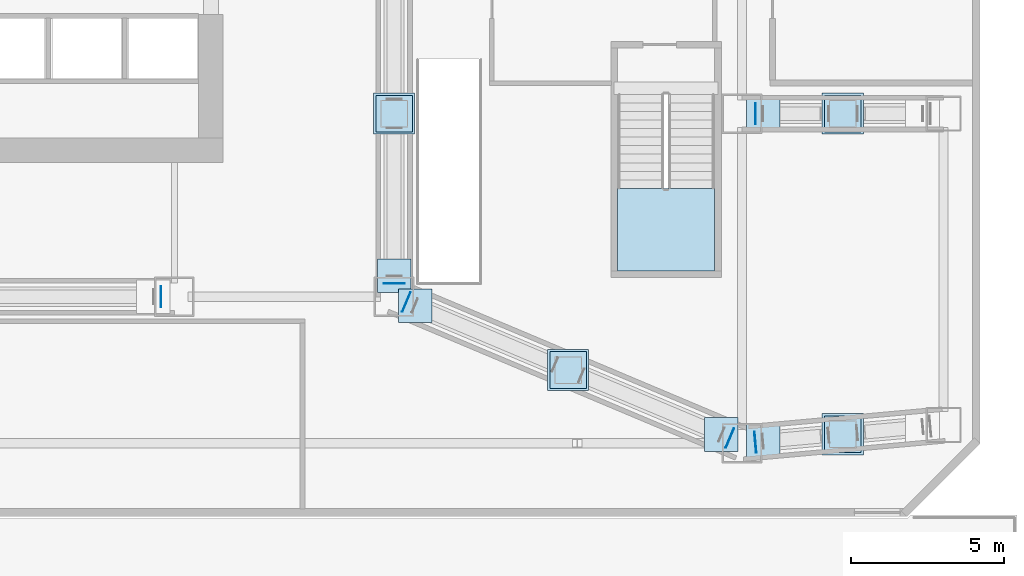
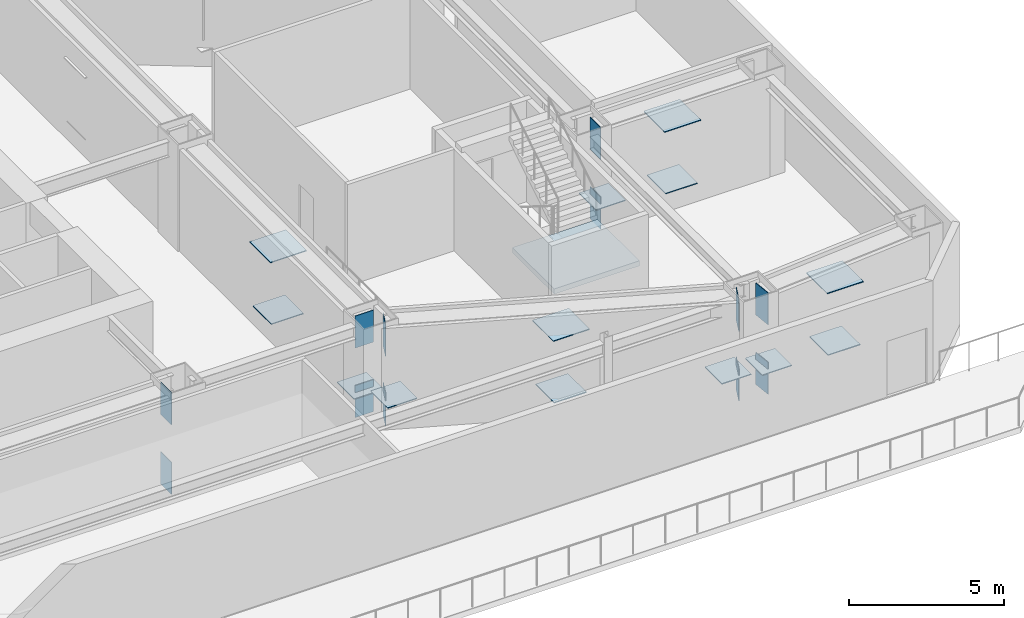
# One storey, part 22 of 39: 25 plates, 1 slab, 1 element without a shape of its own.
"""IFC4 building model written with IfcOpenShell, lengths in metres."""

from ifc_helpers import new_model, si_unit, direction, frame, origin, origin_2d, place, context, subcontext, project, spatial, polyline, rectangle, outline, extrude, material, layer, layer_set, type_object, element, aggregate, save


model = new_model("IFC4")

# Units and contexts
model_context = context("Model", 3, precision=1e-05, world=origin(), true_north=direction((0.0, 1.0)))
body_context = subcontext(model_context, "Body", "Model", "MODEL_VIEW")
ifc_project = project(units=[si_unit("LENGTHUNIT", "METRE"), si_unit("AREAUNIT", "SQUARE_METRE"), si_unit("VOLUMEUNIT", "CUBIC_METRE"), si_unit("PLANEANGLEUNIT", "RADIAN"), si_unit("MASSUNIT", "GRAM", prefix="KILO")], contexts=[model_context])

# Site, building, storey
site_placement = place(None, origin())
site = spatial("IfcSite", under=ifc_project, at=site_placement, CompositionType="ELEMENT")
building_placement = place(site_placement, origin())
building = spatial("IfcBuilding", under=site, at=building_placement, Name="Haolan Belvedere Tower", CompositionType="ELEMENT")
storey_placement = place(building_placement, frame((0.0, 0.0, 19.800048828125)))
storey = spatial("IfcBuildingStorey", under=building, at=storey_placement, Name="L04", CompositionType="ELEMENT", Elevation=19.800048828125)

# Plates
ifc_material_1 = material(Name="Steel Q355B", Category="steel")
ifc_layer_1 = layer(ifc_material_1, 0.02490234375, Name="Steel Q355B")
ifc_layer_set_1 = layer_set([ifc_layer_1], Name="Steel Q355B")
plate_type_1 = type_object("IfcPlateType", Name="PL-CAP-25", PredefinedType="SHEET", material=ifc_layer_set_1)
for number, where, z_axis, x_axis, name in (
    (1, (52.800048828125, 22.03759765625, 2.7099609375), (0.0, 0.0, 1.0), (1.0, 0.0, 0.0), "Hollow steel end-cap plate TT-T3-E1-TC-CAP0"),
    (2, (52.800048828125, 22.03759765625, -0.0302734375), (0.0, 0.0, 1.0), (1.0, 0.0, 0.0), "Hollow steel end-cap plate TT-T3-E1-BC-CAP0"),
    (3, (45.16259765625, 21.60009765625, 2.7099609375), (0.0, 0.0, 1.0), (0.0, 1.0, 0.0), "Hollow steel end-cap plate TT-T3-SM-TC-CAP1"),
    (4, (45.16259765625, 21.60009765625, -0.0302734375), (0.0, 0.0, 1.0), (0.0, 1.0, 0.0), "Hollow steel end-cap plate TT-T3-SM-BC-CAP1"),
    (5, (53.203125, 21.43017578125, 2.7099609375), (0.0, 0.0, 1.0), (-0.388062562797, -0.921633032912, 0.0), "Hollow steel end-cap plate TT-T4-S-TC-CAP0"),
    (6, (63.796875, 16.9697265625, 2.7099609375), (0.0, 0.0, 1.0), (0.388062562797, 0.921633032912, 0.0), "Hollow steel end-cap plate TT-T4-S-TC-CAP1"),
    (7, (53.203125, 21.43017578125, -0.0302734375), (0.0, 0.0, 1.0), (-0.388062562797, -0.921633032912, 0.0), "Hollow steel end-cap plate TT-T4-S-BC-CAP0"),
    (8, (63.796875, 16.9697265625, -0.0302734375), (0.0, 0.0, 1.0), (0.388062562797, 0.921633032912, 0.0), "Hollow steel end-cap plate TT-T4-S-BC-CAP1"),
    (9, (64.6357421875, 16.839599609375, 2.7099609375), (0.0, 0.0, 1.0), (0.090528290931, -0.995893884177, 0.0), "Hollow steel end-cap plate TT-T5-S-TC-CAP0"),
    (10, (64.6357421875, 16.839599609375, -0.0302734375), (0.0, 0.0, 1.0), (0.090528290931, -0.995893884177, 0.0), "Hollow steel end-cap plate TT-T5-S-BC-CAP0"),
    (11, (64.637451171875, 27.60009765625, 2.7099609375), (0.0, 0.0, 1.0), (0.0, -1.0, 0.0), "Hollow steel end-cap plate TT-T5-N-TC-CAP0"),
    (12, (64.637451171875, 27.60009765625, -0.0302734375), (0.0, 0.0, 1.0), (0.0, -1.0, 0.0), "Hollow steel end-cap plate TT-T5-N-BC-CAP0"),
):
    element("IfcPlate", number, at=place(storey_placement, frame(where, z_axis=z_axis, x_axis=x_axis)), inside=storey, type_object=plate_type_1, Name=name, PredefinedType="SHEET", context=body_context, shape_type="SweptSolid", body=[
        extrude(rectangle(XDim=0.68994140625, YDim=0.02490234375, at=origin_2d()), origin(), (0.0, 0.0, 1.0), 1.260009765625),
    ])
ifc_material_2 = material(Name="Steel Q420GJC", Category="steel")
ifc_layer_2 = layer(ifc_material_2, 0.034912109375, Name="Steel Q420GJC")
ifc_layer_set_2 = layer_set([ifc_layer_2], Name="Steel Q420GJC")
plate_type_2 = type_object("IfcPlateType", Name="PL-NODE-NP01", PredefinedType="USERDEFINED", material=ifc_layer_set_2)
plate_1_placement = place(storey_placement, frame((52.800048828125, 22.2900390625, 0.92236328125), z_axis=(0.0, 0.0, 1.0), x_axis=(1.0, 0.0, 0.0)))
element("IfcPlate", 13, at=plate_1_placement, inside=storey, type_object=plate_type_2, Name="NP-01 transfer truss base gusset plate TT-T3-E1.1", ObjectType="GUSSET", PredefinedType="USERDEFINED", context=body_context, shape_type="SweptSolid", body=[
    extrude(rectangle(XDim=1.10009765625, YDim=1.10009765625, at=origin_2d()), origin(), (0.0, 0.0, 1.0), 0.034912109375),
])
plate_2_placement = place(storey_placement, frame((52.800048828125, 27.60009765625, 3.20263671875), z_axis=(0.0, 0.0, 1.0), x_axis=(1.0, 0.0, 0.0)))
element("IfcPlate", 14, at=plate_2_placement, inside=storey, type_object=plate_type_2, Name="NP-01 transfer truss node assembly TT-T3-E1", ObjectType="GUSSET", PredefinedType="USERDEFINED", context=body_context, shape_type="SweptSolid", body=[
    extrude(rectangle(XDim=1.35009765625, YDim=1.35009765625, at=origin_2d()), origin(), (0.0, 0.0, 1.0), 0.034912109375),
])
plate_3_placement = place(storey_placement, frame((52.800048828125, 27.60009765625, 0.70263671875), z_axis=(0.0, 0.0, 1.0), x_axis=(1.0, 0.0, 0.0)))
element("IfcPlate", 15, at=plate_3_placement, inside=storey, type_object=plate_type_2, Name="NP-01 transfer truss lower chord node plate TT-T3-E1", ObjectType="GUSSET", PredefinedType="USERDEFINED", context=body_context, shape_type="SweptSolid", body=[
    extrude(rectangle(XDim=1.199951171875, YDim=1.199951171875, at=origin_2d()), origin(), (0.0, 0.0, 1.0), 0.034912109375),
])
for number, where, z_axis, x_axis, name in (
    (16, (53.48681640625, 21.310791015625, 0.92236328125), (0.0, 0.0, 1.0), (1.0, 0.0, 0.0), "NP-01 transfer truss base gusset plate TT-T4-S.1"),
    (17, (63.51318359375, 17.089111328125, 0.92236328125), (0.0, 0.0, 1.0), (1.0, 0.0, 0.0), "NP-01 transfer truss base gusset plate TT-T4-S.2"),
):
    element("IfcPlate", number, at=place(storey_placement, frame(where, z_axis=z_axis, x_axis=x_axis)), inside=storey, type_object=plate_type_2, Name=name, ObjectType="GUSSET", PredefinedType="USERDEFINED", context=body_context, shape_type="SweptSolid", body=[
        extrude(rectangle(XDim=1.10009765625, YDim=1.10009765625, at=origin_2d()), origin(), (0.0, 0.0, 1.0), 0.034912109375),
    ])
plate_4_placement = place(storey_placement, frame((58.5, 19.199951171875, 3.20263671875), z_axis=(0.0, 0.0, 1.0), x_axis=(1.0, 0.0, 0.0)))
element("IfcPlate", 18, at=plate_4_placement, inside=storey, type_object=plate_type_2, Name="NP-01 transfer truss node assembly TT-T4-S", ObjectType="GUSSET", PredefinedType="USERDEFINED", context=body_context, shape_type="SweptSolid", body=[
    extrude(rectangle(XDim=1.35009765625, YDim=1.35009765625, at=origin_2d()), origin(), (0.0, 0.0, 1.0), 0.034912109375),
])
plate_5_placement = place(storey_placement, frame((58.5, 19.199951171875, 0.70263671875), z_axis=(0.0, 0.0, 1.0), x_axis=(1.0, 0.0, 0.0)))
element("IfcPlate", 19, at=plate_5_placement, inside=storey, type_object=plate_type_2, Name="NP-01 transfer truss lower chord node plate TT-T4-S", ObjectType="GUSSET", PredefinedType="USERDEFINED", context=body_context, shape_type="SweptSolid", body=[
    extrude(rectangle(XDim=1.199951171875, YDim=1.199951171875, at=origin_2d()), origin(), (0.0, 0.0, 1.0), 0.034912109375),
])
plate_6_placement = place(storey_placement, frame((64.889892578125, 16.86279296875, 0.92236328125), z_axis=(0.0, 0.0, 1.0), x_axis=(1.0, 0.0, 0.0)))
element("IfcPlate", 20, at=plate_6_placement, inside=storey, type_object=plate_type_2, Name="NP-01 transfer truss base gusset plate TT-T5-S.1", ObjectType="GUSSET", PredefinedType="USERDEFINED", context=body_context, shape_type="SweptSolid", body=[
    extrude(rectangle(XDim=1.10009765625, YDim=1.10009765625, at=origin_2d()), origin(), (0.0, 0.0, 1.0), 0.034912109375),
])
plate_7_placement = place(storey_placement, frame((67.5, 17.10009765625, 3.20263671875), z_axis=(0.0, 0.0, 1.0), x_axis=(1.0, 0.0, 0.0)))
element("IfcPlate", 21, at=plate_7_placement, inside=storey, type_object=plate_type_2, Name="NP-01 transfer truss node assembly TT-T5-S", ObjectType="GUSSET", PredefinedType="USERDEFINED", context=body_context, shape_type="SweptSolid", body=[
    extrude(rectangle(XDim=1.35009765625, YDim=1.35009765625, at=origin_2d()), origin(), (0.0, 0.0, 1.0), 0.034912109375),
])
plate_8_placement = place(storey_placement, frame((67.5, 17.10009765625, 0.70263671875), z_axis=(0.0, 0.0, 1.0), x_axis=(1.0, 0.0, 0.0)))
element("IfcPlate", 22, at=plate_8_placement, inside=storey, type_object=plate_type_2, Name="NP-01 transfer truss lower chord node plate TT-T5-S", ObjectType="GUSSET", PredefinedType="USERDEFINED", context=body_context, shape_type="SweptSolid", body=[
    extrude(rectangle(XDim=1.199951171875, YDim=1.199951171875, at=origin_2d()), origin(), (0.0, 0.0, 1.0), 0.034912109375),
])
plate_9_placement = place(storey_placement, frame((64.889892578125, 27.60009765625, 0.92236328125), z_axis=(0.0, 0.0, 1.0), x_axis=(1.0, 0.0, 0.0)))
element("IfcPlate", 23, at=plate_9_placement, inside=storey, type_object=plate_type_2, Name="NP-01 transfer truss base gusset plate TT-T5-N.1", ObjectType="GUSSET", PredefinedType="USERDEFINED", context=body_context, shape_type="SweptSolid", body=[
    extrude(rectangle(XDim=1.10009765625, YDim=1.10009765625, at=origin_2d()), origin(), (0.0, 0.0, 1.0), 0.034912109375),
])
plate_10_placement = place(storey_placement, frame((67.5, 27.60009765625, 3.20263671875), z_axis=(0.0, 0.0, 1.0), x_axis=(1.0, 0.0, 0.0)))
element("IfcPlate", 24, at=plate_10_placement, inside=storey, type_object=plate_type_2, Name="NP-01 transfer truss node assembly TT-T5-N", ObjectType="GUSSET", PredefinedType="USERDEFINED", context=body_context, shape_type="SweptSolid", body=[
    extrude(rectangle(XDim=1.35009765625, YDim=1.35009765625, at=origin_2d()), origin(), (0.0, 0.0, 1.0), 0.034912109375),
])
plate_11_placement = place(storey_placement, frame((67.5, 27.60009765625, 0.70263671875), z_axis=(0.0, 0.0, 1.0), x_axis=(1.0, 0.0, 0.0)))
element("IfcPlate", 25, at=plate_11_placement, inside=storey, type_object=plate_type_2, Name="NP-01 transfer truss lower chord node plate TT-T5-N", ObjectType="GUSSET", PredefinedType="USERDEFINED", context=body_context, shape_type="SweptSolid", body=[
    extrude(rectangle(XDim=1.199951171875, YDim=1.199951171875, at=origin_2d()), origin(), (0.0, 0.0, 1.0), 0.034912109375),
])

# Stair, slab
ifc_material_3 = material(Name="Concrete C40/50", Category="concrete")
stair_type = type_object("IfcStairType", Name="STR-DL-24R-175", PredefinedType="HALF_TURN_STAIR", material=ifc_material_3)
stair_placement = place(storey_placement, origin())
stair = element("IfcStair", 26, at=stair_placement, inside=storey, type_object=stair_type, Name="L04 East Podium Protected Exit Stair ST5", PredefinedType="HALF_TURN_STAIR")
ifc_layer_3 = layer(ifc_material_3, 0.199951171875, Name="Concrete C40/50")
ifc_layer_set_3 = layer_set([ifc_layer_3], Name="Concrete C40/50")
slab_type = type_object("IfcSlabType", Name="SL-LAND-200", PredefinedType="LANDING", material=ifc_layer_set_3)
slab_placement = place(storey_placement, frame((0.0, 0.0, 1.89990234375)))
slab = element("IfcSlab", 27, at=slab_placement, type_object=slab_type, Name="ST5 landing 1", PredefinedType="LANDING", context=body_context, shape_type="SweptSolid", body=[
    extrude(outline(polyline([(60.1201171875, 25.14990234375), (60.1201171875, 22.449951171875), (63.300048828125, 22.449951171875), (63.300048828125, 25.14990234375), (60.1201171875, 25.14990234375)])), origin(), (0.0, 0.0, 1.0), 0.199951171875),
])
aggregate(stair, [slab])

save(model, "model.ifc")
